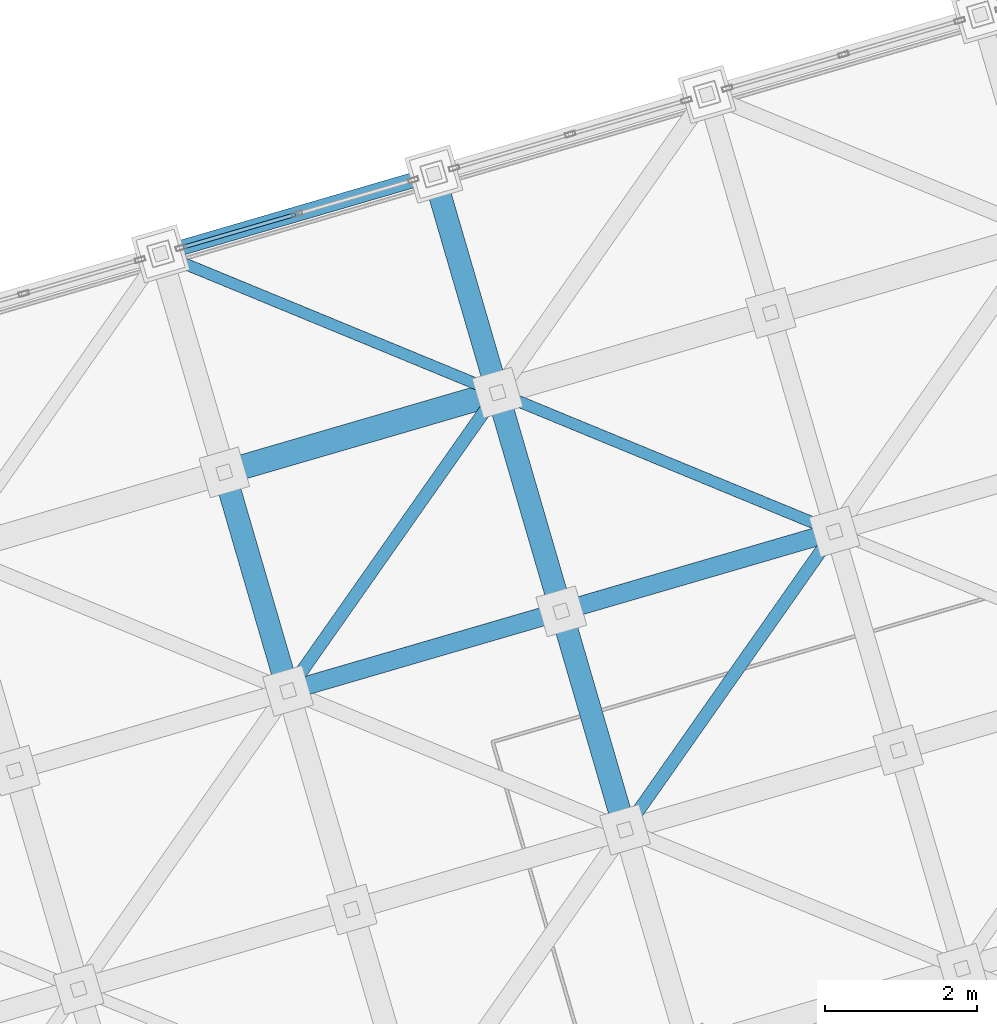
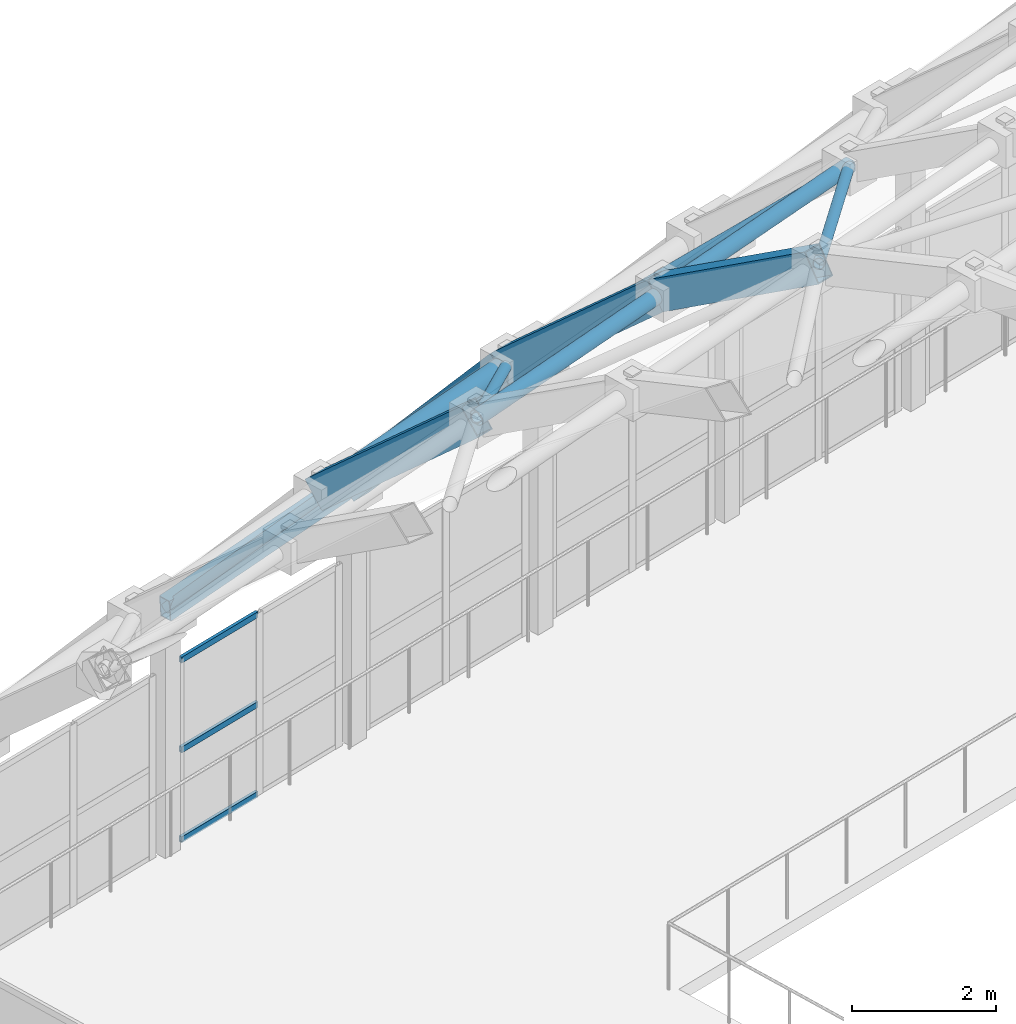
# One storey, part 54 of 248: 10 members, 5 beams, 1 element without a shape of its own.
"""IFC4 building model written with IfcOpenShell, lengths in metres."""

from ifc_helpers import new_model, si_unit, direction, frame, origin, origin_2d, place, context, subcontext, project, spatial, hollow_rectangle, hollow_circle, extrude, material, layer, layer_set, material_profile, profile_set, type_object, element, aggregate, save


model = new_model("IFC4")

# Units and contexts
model_context = context("Model", 3, precision=1e-05, world=origin(), true_north=direction((0.0, 1.0)))
body_context = subcontext(model_context, "Body", "Model", "MODEL_VIEW")
ifc_project = project(units=[si_unit("LENGTHUNIT", "METRE"), si_unit("AREAUNIT", "SQUARE_METRE"), si_unit("VOLUMEUNIT", "CUBIC_METRE"), si_unit("PLANEANGLEUNIT", "RADIAN"), si_unit("MASSUNIT", "GRAM", prefix="KILO")], contexts=[model_context])

# Site, building, storey
site_placement = place(None, origin())
site = spatial("IfcSite", under=ifc_project, at=site_placement, CompositionType="ELEMENT")
building_placement = place(site_placement, origin())
building = spatial("IfcBuilding", under=site, at=building_placement, Name="Canggui Botanical Conservatory", CompositionType="ELEMENT")
storey_placement = place(building_placement, frame((0.0, 0.0, 5.39990234375)))
storey = spatial("IfcBuildingStorey", under=building, at=storey_placement, Name="L02", CompositionType="ELEMENT", Elevation=5.39990234375)

# Beams
ifc_material_1 = material(Name="Steel Q355C", Category="steel")
ifc_material_profile_1 = material_profile(ifc_material_1, hollow_rectangle(XDim=0.300048828125, YDim=0.5, WallThickness=0.01611328125, at=origin_2d()), Name="RHS 300x500x16")
ifc_profile_set_1 = profile_set([ifc_material_profile_1], Name="Steel Q355C")
beam_type_1 = type_object("IfcBeamType", Name="BM-GJ01", PredefinedType="BEAM", material=ifc_profile_set_1)
beam_1_placement = place(storey_placement, frame((20.47998046875, 67.139892578125, 10.244140625), z_axis=(-0.208553195479, 0.714996235706, -0.66729749556), x_axis=(-0.959995442804, -0.2800156242, 0.0)))
element("IfcBeam", 1, at=beam_1_placement, inside=storey, type_object=beam_type_1, Name="Conservatory Stepped-Arch Rib GJ-03 Segment 9", PredefinedType="BEAM", context=body_context, shape_type="SweptSolid", body=[
    extrude(hollow_rectangle(XDim=0.300048828125, YDim=0.5, WallThickness=0.01611328125, at=origin_2d()), origin(), (0.0, 0.0, 1.0), 4.028076171875),
])
beam_2_placement = place(storey_placement, frame((24.919921875, 65.31005859375, 12.4140625), z_axis=(-0.235803624532, 0.808587079936, -0.539058053291), x_axis=(-0.960010937337, -0.279962497833, 0.0)))
element("IfcBeam", 2, at=beam_2_placement, inside=storey, type_object=beam_type_1, Name="Conservatory Stepped-Arch Rib GJ-04 Segment 8", PredefinedType="BEAM", context=body_context, shape_type="SweptSolid", body=[
    extrude(hollow_rectangle(XDim=0.300048828125, YDim=0.5, WallThickness=0.01611328125, at=origin_2d()), origin(), (0.0, 0.0, 1.0), 3.5615234375),
])
beam_3_placement = place(storey_placement, frame((24.080078125, 68.18994140625, 10.494140625), z_axis=(-0.208553195479, 0.714996235706, -0.66729749556), x_axis=(-0.959995442804, -0.2800156242, 0.0)))
element("IfcBeam", 3, at=beam_3_placement, inside=storey, type_object=beam_type_1, Name="Conservatory Stepped-Arch Rib GJ-04 Segment 9", PredefinedType="BEAM", context=body_context, shape_type="SweptSolid", body=[
    extrude(hollow_rectangle(XDim=0.300048828125, YDim=0.5, WallThickness=0.01611328125, at=origin_2d()), origin(), (0.0, 0.0, 1.0), 4.028076171875),
])
beam_4_placement = place(storey_placement, frame((23.239990234375, 71.070068359375, 7.80615234375), z_axis=(-0.183568061506, 0.629284758361, -0.755184387874), x_axis=(-0.959989061447, -0.280037500885, 0.0)))
element("IfcBeam", 4, at=beam_4_placement, inside=storey, type_object=beam_type_1, Name="Conservatory Stepped-Arch Rib GJ-04 Segment 10", PredefinedType="BEAM", context=body_context, shape_type="SweptSolid", body=[
    extrude(hollow_rectangle(XDim=0.300048828125, YDim=0.5, WallThickness=0.01611328125, at=origin_2d()), origin(), (0.0, 0.0, 1.0), 4.576416015625),
])
ifc_material_profile_2 = material_profile(ifc_material_1, hollow_rectangle(XDim=0.199951171875, YDim=0.35009765625, WallThickness=0.011962890625, at=origin_2d()), Name="RHS 200x350x12")
ifc_profile_set_2 = profile_set([ifc_material_profile_2], Name="Steel Q355C")
beam_type_2 = type_object("IfcBeamType", Name="BM-RING01", PredefinedType="BEAM", material=ifc_profile_set_2)
beam_5_placement = place(storey_placement, frame((18.800048828125, 72.89990234375, 4.10009765625), z_axis=(0.957867059601, 0.279402253194, 0.066521252562), x_axis=(-0.280022500685, 0.959993437014, 0.0)))
element("IfcBeam", 5, at=beam_5_placement, inside=storey, type_object=beam_type_2, Name="Conservatory Perimeter Ring Beam V1-03", PredefinedType="BEAM", context=body_context, shape_type="SweptSolid", body=[
    extrude(hollow_rectangle(XDim=0.199951171875, YDim=0.35009765625, WallThickness=0.011962890625, at=origin_2d()), origin(), (0.0, 0.0, 1.0), 3.75830078125),
])

# Curtain wall, members
ifc_material_2 = material(Name="Thermally Broken Aluminium", Category="aluminium")
ifc_layer = layer(ifc_material_2, 0.135009765625, Name="Thermally Broken Aluminium", Category="aluminium")
ifc_layer_set = layer_set([ifc_layer], Name="Thermally Broken Aluminium")
curtain_wall_type = type_object("IfcCurtainWallType", Name="CW-STICK-A", PredefinedType="USERDEFINED", material=ifc_layer_set)
curtain_wall_placement = place(storey_placement, origin())
curtain_wall = element("IfcCurtainWall", 6, at=curtain_wall_placement, inside=storey, type_object=curtain_wall_type, Name="Facade Curtain Wall CW-CONS-L02-V1-03", ObjectType="STICK GLAZED WALL", PredefinedType="USERDEFINED")
ifc_material_profile_3 = material_profile(ifc_material_2, hollow_rectangle(XDim=0.050048828125, YDim=0.10009765625, WallThickness=0.0029296875, at=origin_2d()), Name="CWT 50x100x3")
ifc_profile_set_3 = profile_set([ifc_material_profile_3], Name="Thermally Broken Aluminium")
member_type_1 = type_object("IfcMemberType", Name="CWT-04", PredefinedType="USERDEFINED", material=ifc_profile_set_3)
member_1_placement = place(storey_placement, frame((19.09765625, 72.98681640625, 0.025146484375), z_axis=(0.960021373424, 0.279926709282, 0.0), x_axis=(-0.279926709282, 0.960021373424, 0.0)))
member_1 = element("IfcMember", 7, at=member_1_placement, type_object=member_type_1, Name="CW-04 transom 1.1", ObjectType="TRANSOM", PredefinedType="USERDEFINED", context=body_context, shape_type="SweptSolid", body=[
    extrude(hollow_rectangle(XDim=0.050048828125, YDim=0.10009765625, WallThickness=0.0029296875, at=origin_2d()), origin(), (0.0, 0.0, 1.0), 1.534912109375),
])
member_2_placement = place(storey_placement, frame((19.09765625, 72.98681640625, 1.550048828125), z_axis=(0.960021373424, 0.279926709282, 0.0), x_axis=(-0.279926709282, 0.960021373424, 0.0)))
member_2 = element("IfcMember", 8, at=member_2_placement, type_object=member_type_1, Name="CW-04 transom 1.2", ObjectType="TRANSOM", PredefinedType="USERDEFINED", context=body_context, shape_type="SweptSolid", body=[
    extrude(hollow_rectangle(XDim=0.050048828125, YDim=0.10009765625, WallThickness=0.0029296875, at=origin_2d()), origin(), (0.0, 0.0, 1.0), 1.534912109375),
])
member_3_placement = place(storey_placement, frame((19.09765625, 72.98681640625, 3.0751953125), z_axis=(0.960021373424, 0.279926709282, 0.0), x_axis=(-0.279926709282, 0.960021373424, 0.0)))
member_3 = element("IfcMember", 9, at=member_3_placement, type_object=member_type_1, Name="CW-04 transom 1.3", ObjectType="TRANSOM", PredefinedType="USERDEFINED", context=body_context, shape_type="SweptSolid", body=[
    extrude(hollow_rectangle(XDim=0.050048828125, YDim=0.10009765625, WallThickness=0.0029296875, at=origin_2d()), origin(), (0.0, 0.0, 1.0), 1.534912109375),
])
aggregate(curtain_wall, [member_1, member_2, member_3])

# Members
ifc_material_profile_4 = material_profile(ifc_material_1, hollow_circle(Radius=0.16259765625, WallThickness=0.011962890625, at=origin_2d()), Name="CHS 325x12")
ifc_profile_set_4 = profile_set([ifc_material_profile_4], Name="Steel Q355C")
member_type_2 = type_object("IfcMemberType", Name="MEM-GSC01", PredefinedType="CHORD", material=ifc_profile_set_4)
member_4_placement = place(storey_placement, frame((19.639892578125, 70.02001953125, 7.55615234375), z_axis=(0.957872417874, 0.27938486839, 0.066517113516), x_axis=(-0.280004999853, 0.959998541695, 0.0)))
element("IfcMember", 10, at=member_4_placement, inside=storey, type_object=member_type_2, Name="Conservatory Gridshell Longitudinal Chord 3-9", PredefinedType="CHORD", context=body_context, shape_type="SweptSolid", body=[
    extrude(hollow_circle(Radius=0.16259765625, WallThickness=0.011962890625, at=origin_2d()), origin(), (0.0, 0.0, 1.0), 3.758544921875),
])
ifc_material_profile_5 = material_profile(ifc_material_1, hollow_circle(Radius=0.12255859375, WallThickness=0.010009765625, at=origin_2d()), Name="CHS 245x10")
ifc_profile_set_5 = profile_set([ifc_material_profile_5], Name="Steel Q355C")
member_type_3 = type_object("IfcMemberType", Name="MEM-GSC04", PredefinedType="CHORD", material=ifc_profile_set_5)
member_5_placement = place(storey_placement, frame((20.47998046875, 67.139892578125, 10.244140625), z_axis=(0.957872417874, 0.27938486839, 0.066517113516), x_axis=(-0.280004999853, 0.959998541695, 0.0)))
element("IfcMember", 11, at=member_5_placement, inside=storey, type_object=member_type_3, Name="Conservatory Gridshell Longitudinal Chord 3-8", PredefinedType="CHORD", context=body_context, shape_type="SweptSolid", body=[
    extrude(hollow_circle(Radius=0.12255859375, WallThickness=0.010009765625, at=origin_2d()), origin(), (0.0, 0.0, 1.0), 3.758544921875),
])
member_6_placement = place(storey_placement, frame((24.080078125, 68.18994140625, 10.494140625), z_axis=(0.957867059601, 0.279402253194, 0.066521252562), x_axis=(-0.280022500685, 0.959993437014, 0.0)))
element("IfcMember", 12, at=member_6_placement, inside=storey, type_object=member_type_3, Name="Conservatory Gridshell Longitudinal Chord 4-8", PredefinedType="CHORD", context=body_context, shape_type="SweptSolid", body=[
    extrude(hollow_circle(Radius=0.12255859375, WallThickness=0.010009765625, at=origin_2d()), origin(), (0.0, 0.0, 1.0), 3.75830078125),
])
ifc_material_profile_6 = material_profile(ifc_material_1, hollow_circle(Radius=0.083984375, WallThickness=0.008056640625, at=origin_2d()), Name="CHS 168x8")
ifc_profile_set_6 = profile_set([ifc_material_profile_6], Name="Steel Q355C")
member_type_4 = type_object("IfcMemberType", Name="MEM-GSD03", PredefinedType="RAFTER", material=ifc_profile_set_6)
member_7_placement = place(storey_placement, frame((20.47998046875, 67.139892578125, 10.244140625), z_axis=(0.512452720582, 0.729718168592, -0.452662792369), x_axis=(-0.818361645525, 0.574703590674, 0.0)))
element("IfcMember", 13, at=member_7_placement, inside=storey, type_object=member_type_4, Name="Conservatory Gridshell Diagrid Rafter 3-9", PredefinedType="RAFTER", context=body_context, shape_type="SweptSolid", body=[
    extrude(hollow_circle(Radius=0.083984375, WallThickness=0.008056640625, at=origin_2d()), origin(), (0.0, 0.0, 1.0), 5.385986328125),
])
member_8_placement = place(storey_placement, frame((24.919921875, 65.31005859375, 12.4140625), z_axis=(0.542843744059, 0.77294610775, -0.328443273716), x_axis=(-0.818344854073, 0.574727500484, 0.0)))
element("IfcMember", 14, at=member_8_placement, inside=storey, type_object=member_type_4, Name="Conservatory Gridshell Diagrid Rafter 4-8", PredefinedType="RAFTER", context=body_context, shape_type="SweptSolid", body=[
    extrude(hollow_circle(Radius=0.083984375, WallThickness=0.008056640625, at=origin_2d()), origin(), (0.0, 0.0, 1.0), 5.08447265625),
])
ifc_material_profile_7 = material_profile(ifc_material_1, hollow_circle(Radius=0.075927734375, WallThickness=0.006103515625, at=origin_2d()), Name="CHS 152x6")
ifc_profile_set_7 = profile_set([ifc_material_profile_7], Name="Steel Q355C")
member_type_5 = type_object("IfcMemberType", Name="MEM-GSD04", PredefinedType="RAFTER", material=ifc_profile_set_7)
member_9_placement = place(storey_placement, frame((18.800048828125, 72.89990234375, 4.10009765625), z_axis=(0.731940324203, -0.301654719559, 0.610956456692), x_axis=(0.381038726983, 0.924559077907, 0.0)))
element("IfcMember", 15, at=member_9_placement, inside=storey, type_object=member_type_5, Name="Conservatory Gridshell Diagrid Rafter 3-10", PredefinedType="RAFTER", context=body_context, shape_type="SweptSolid", body=[
    extrude(hollow_circle(Radius=0.075927734375, WallThickness=0.006103515625, at=origin_2d()), origin(), (0.0, 0.0, 1.0), 6.06591796875),
])
member_10_placement = place(storey_placement, frame((23.239990234375, 71.070068359375, 7.80615234375), z_axis=(0.788657490704, -0.325072943491, 0.521868703571), x_axis=(0.381082183428, 0.924541166998, 0.0)))
element("IfcMember", 16, at=member_10_placement, inside=storey, type_object=member_type_5, Name="Conservatory Gridshell Diagrid Rafter 4-9", PredefinedType="RAFTER", context=body_context, shape_type="SweptSolid", body=[
    extrude(hollow_circle(Radius=0.075927734375, WallThickness=0.006103515625, at=origin_2d()), origin(), (0.0, 0.0, 1.0), 5.629638671875),
])

save(model, "model.ifc")
